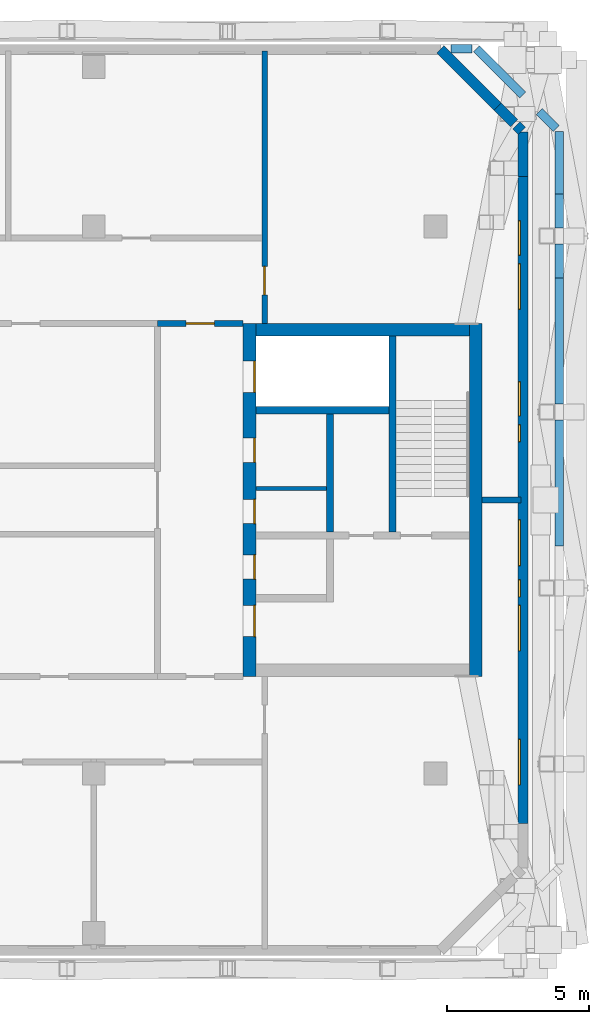
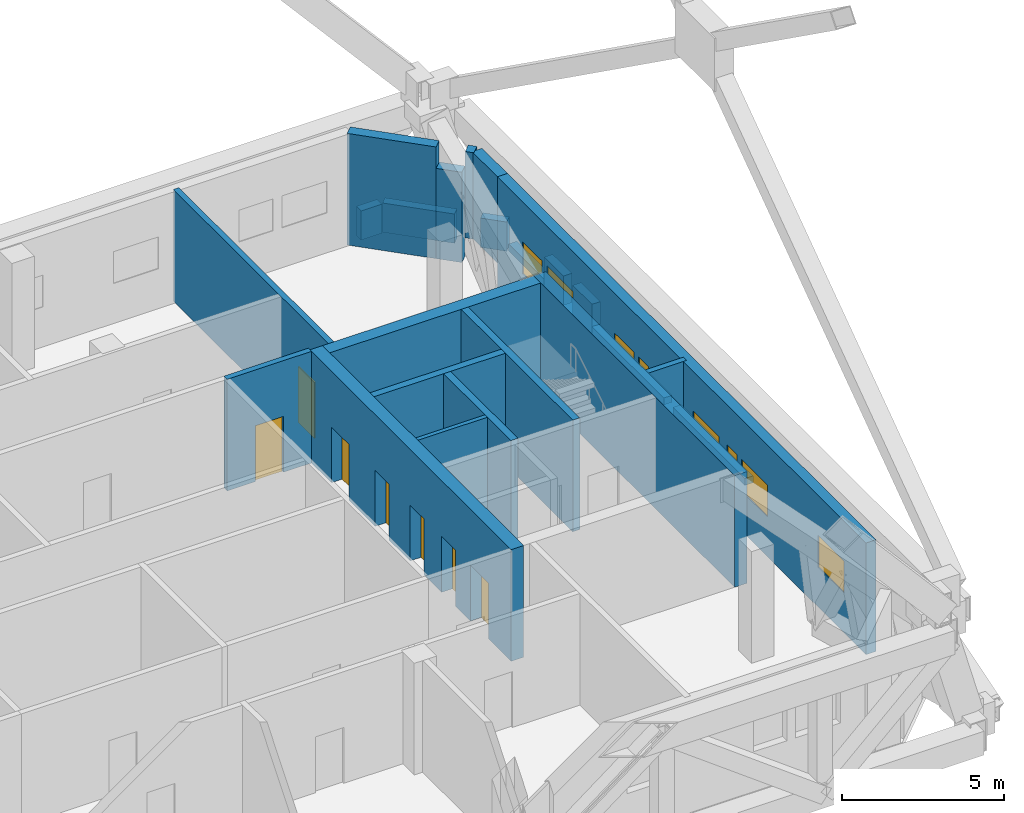
# One storey, part 14 of 20: 23 walls, 8 windows, 7 doors, 15 openings.
"""IFC4 building model written with IfcOpenShell, lengths in metres."""

from ifc_helpers import new_model, si_unit, direction, frame, frame_2d, origin, place, context, subcontext, project, spatial, rectangle, extrude, material, layer, layer_set, type_object, element, fill, save


model = new_model("IFC4")

# Units and contexts
model_context = context("Model", 3, precision=1e-05, world=origin(), true_north=direction((0.0, 1.0)))
body_context = subcontext(model_context, "Body", "Model", "MODEL_VIEW")
ifc_project = project(units=[si_unit("LENGTHUNIT", "METRE"), si_unit("AREAUNIT", "SQUARE_METRE"), si_unit("VOLUMEUNIT", "CUBIC_METRE"), si_unit("PLANEANGLEUNIT", "RADIAN"), si_unit("MASSUNIT", "GRAM", prefix="KILO")], contexts=[model_context])

# Site, building, storey
site_placement = place(None, origin())
site = spatial("IfcSite", under=ifc_project, at=site_placement, CompositionType="ELEMENT")
building_placement = place(site_placement, origin())
building = spatial("IfcBuilding", under=site, at=building_placement, Name="Tuart Gate Housing", CompositionType="ELEMENT")
storey_placement = place(building_placement, frame((0.0, 0.0, 167.10009765625)))
storey = spatial("IfcBuildingStorey", under=building, at=storey_placement, Name="L47", CompositionType="ELEMENT", Elevation=167.10009765625)

# Walls
ifc_material_1 = material(Name="Brick", Category="masonry")
ifc_layer_1 = layer(ifc_material_1, 0.300048828125)
ifc_layer_set_1 = layer_set([ifc_layer_1], Name="Brick parapet wall 300")
wall_type_1 = type_object("IfcWallType", Name="Brick parapet wall 300", PredefinedType="PARAPET", material=ifc_layer_set_1)
for number, where, z_axis, x_axis, name in (
    (1, (171.35009765625, 68.37890625, 0.0), (0.0, 0.0, 1.0), (0.0, 1.0, 0.0), "Roof parapet B 3"),
    (2, (171.35009765625, 73.373046875, 0.0), (0.0, 0.0, 1.0), (0.0, 1.0, 0.0), "Roof parapet B 3"),
):
    element("IfcWall", number, at=place(storey_placement, frame(where, z_axis=z_axis, x_axis=x_axis)), inside=storey, type_object=wall_type_1, Name=name, PredefinedType="PARAPET", context=body_context, shape_type="SweptSolid", body=[
        extrude(rectangle(XDim=4.427978515625, YDim=0.300048828125, at=frame_2d((2.2138671875, 0.0))), origin(), (0.0, 0.0, 1.0), 0.260009765625),
    ])
for number, where, z_axis, x_axis, name in (
    (3, (171.35009765625, 77.801025390625, 0.0), (0.0, 0.0, 1.0), (0.0, 1.0, 0.0), "Roof parapet B 3"),
    (4, (171.35009765625, 79.552978515625, 0.0), (0.0, 0.0, 1.0), (0.0, 1.0, 0.0), "Roof parapet B 3"),
):
    element("IfcWall", number, at=place(storey_placement, frame(where, z_axis=z_axis, x_axis=x_axis)), inside=storey, type_object=wall_type_1, Name=name, PredefinedType="PARAPET", context=body_context, shape_type="SweptSolid", body=[
        extrude(rectangle(XDim=1.18603515625, YDim=0.300048828125, at=frame_2d((0.593017578125, 0.0))), origin(), (0.0, 0.0, 1.0), 1.099853515625),
    ])
wall_1_placement = place(storey_placement, frame((171.35009765625, 80.739013671875, 0.0), z_axis=(0.0, 0.0, 1.0), x_axis=(0.0, 1.0, 0.0)))
element("IfcWall", 5, at=wall_1_placement, inside=storey, type_object=wall_type_1, Name="Roof parapet B 3", PredefinedType="PARAPET", context=body_context, shape_type="SweptSolid", body=[
    extrude(rectangle(XDim=2.198974609375, YDim=0.300048828125, at=frame_2d((1.099609375, 0.0))), origin(), (0.0, 0.0, 1.0), 0.260009765625),
])
wall_2_placement = place(storey_placement, frame((171.242431640625, 83.04541015625, 0.0), z_axis=(0.0, 0.0, 1.0), x_axis=(-0.707106781187, 0.707106781187, 0.0)))
element("IfcWall", 6, at=wall_2_placement, inside=storey, type_object=wall_type_1, Name="Roof parapet B 4", PredefinedType="PARAPET", context=body_context, shape_type="SweptSolid", body=[
    extrude(rectangle(XDim=0.840087890625, YDim=0.300048828125, at=frame_2d((0.419921875, 0.0))), origin(), (0.0, 0.0, 1.0), 1.099853515625),
])
wall_3_placement = place(storey_placement, frame((170.064453125, 84.223388671875, 0.0), z_axis=(0.0, 0.0, 1.0), x_axis=(-0.707053713021, 0.70715984537, 0.0)))
element("IfcWall", 7, at=wall_3_placement, inside=storey, type_object=wall_type_1, Name="Roof parapet B 4", PredefinedType="PARAPET", context=body_context, shape_type="SweptSolid", body=[
    extrude(rectangle(XDim=2.30029296875, YDim=0.300048828125, at=frame_2d((1.150146484375, 0.0))), origin(), (0.0, 0.0, 1.0), 1.099853515625),
])
wall_4_placement = place(storey_placement, frame((168.285888671875, 85.85009765625, 0.0), z_axis=(0.0, 0.0, 1.0), x_axis=(-1.0, 0.0, 0.0)))
element("IfcWall", 8, at=wall_4_placement, inside=storey, type_object=wall_type_1, Name="Roof parapet B 5", PredefinedType="PARAPET", context=body_context, shape_type="SweptSolid", body=[
    extrude(rectangle(XDim=0.73583984375, YDim=0.300048828125, at=frame_2d((0.367919921875, 0.0))), origin(), (0.0, 0.0, 1.0), 1.099853515625),
])

# Wall, openings, windows
ifc_material_2 = material(Name="Brick", Category="masonry")
ifc_layer_2 = layer(ifc_material_2, 0.360107421875)
ifc_layer_set_2 = layer_set([ifc_layer_2], Name="Brick pier and spandrel wall 360")
wall_type_2 = type_object("IfcWallType", Name="Brick pier and spandrel wall 360", PredefinedType="STANDARD", material=ifc_layer_set_2)
wall_5_placement = place(storey_placement, frame((170.070068359375, 58.641357421875, 0.0), z_axis=(0.0, 0.0, 1.0), x_axis=(0.0, 1.0, 0.0)))
wall_5 = element("IfcWall", 9, at=wall_5_placement, inside=storey, type_object=wall_type_2, Name="External wall B-E L47", PredefinedType="STANDARD", context=body_context, shape_type="SweptSolid", body=[
    extrude(rectangle(XDim=22.71728515625, YDim=0.360107421875, at=frame_2d((11.358642578125, 0.0))), origin(), (0.0, 0.0, 1.0), 4.199951171875),
])
opening_1_placement = place(wall_5_placement, frame((1.358642578125, 0.0, 1.5)))
opening_1 = element("IfcOpeningElement", 10, at=opening_1_placement, cuts=wall_5, Name="Opening W3", PredefinedType="OPENING", context=body_context, shape_type="SweptSolid", body=[
    extrude(rectangle(XDim=1.60009765625, YDim=1.199951171875, at=frame_2d((0.800048828125, 0.60009765625))), frame((0.0, 0.18994140625, 0.0), z_axis=(0.0, -1.0, 0.0), x_axis=(1.0, 0.0, 0.0)), (0.0, 0.0, 1.0), 0.380126953125),
])
opening_2_placement = place(wall_5_placement, frame((7.95849609375, 0.0, 1.5)))
opening_2 = element("IfcOpeningElement", 11, at=opening_2_placement, cuts=wall_5, Name="Opening W3C", PredefinedType="OPENING", context=body_context, shape_type="SweptSolid", body=[
    extrude(rectangle(XDim=0.60009765625, YDim=1.199951171875, at=frame_2d((0.300048828125, 0.60009765625))), frame((0.0, 0.18994140625, 0.0), z_axis=(0.0, -1.0, 0.0), x_axis=(1.0, 0.0, 0.0)), (0.0, 0.0, 1.0), 0.380126953125),
])
opening_3_placement = place(wall_5_placement, frame((6.05859375, 0.0, 1.5)))
opening_3 = element("IfcOpeningElement", 12, at=opening_3_placement, cuts=wall_5, Name="Opening W3", PredefinedType="OPENING", context=body_context, shape_type="SweptSolid", body=[
    extrude(rectangle(XDim=1.60009765625, YDim=1.199951171875, at=frame_2d((0.800048828125, 0.60009765625))), frame((0.0, 0.18994140625, 0.0), z_axis=(0.0, -1.0, 0.0), x_axis=(1.0, 0.0, 0.0)), (0.0, 0.0, 1.0), 0.380126953125),
])
opening_4_placement = place(wall_5_placement, frame((9.05859375, 0.0, 1.5)))
opening_4 = element("IfcOpeningElement", 13, at=opening_4_placement, cuts=wall_5, Name="Opening W3", PredefinedType="OPENING", context=body_context, shape_type="SweptSolid", body=[
    extrude(rectangle(XDim=1.60009765625, YDim=1.199951171875, at=frame_2d((0.800048828125, 0.60009765625))), frame((0.0, 0.18994140625, 0.0), z_axis=(0.0, -1.0, 0.0), x_axis=(1.0, 0.0, 0.0)), (0.0, 0.0, 1.0), 0.380126953125),
])
opening_5_placement = place(wall_5_placement, frame((13.40869140625, 0.0, 1.5)))
opening_5 = element("IfcOpeningElement", 14, at=opening_5_placement, cuts=wall_5, Name="Opening W3C", PredefinedType="OPENING", context=body_context, shape_type="SweptSolid", body=[
    extrude(rectangle(XDim=0.60009765625, YDim=1.199951171875, at=frame_2d((0.300048828125, 0.60009765625))), frame((0.0, 0.18994140625, 0.0), z_axis=(0.0, -1.0, 0.0), x_axis=(1.0, 0.0, 0.0)), (0.0, 0.0, 1.0), 0.380126953125),
])
opening_6_placement = place(wall_5_placement, frame((14.30859375, 0.0, 1.5)))
opening_6 = element("IfcOpeningElement", 15, at=opening_6_placement, cuts=wall_5, Name="Opening W3A", PredefinedType="OPENING", context=body_context, shape_type="SweptSolid", body=[
    extrude(rectangle(XDim=1.199951171875, YDim=1.199951171875, at=frame_2d((0.60009765625, 0.60009765625))), frame((0.0, 0.18994140625, 0.0), z_axis=(0.0, -1.0, 0.0), x_axis=(1.0, 0.0, 0.0)), (0.0, 0.0, 1.0), 0.380126953125),
])
opening_7_placement = place(wall_5_placement, frame((18.05859375, 0.0, 1.5)))
opening_7 = element("IfcOpeningElement", 16, at=opening_7_placement, cuts=wall_5, Name="Opening W3", PredefinedType="OPENING", context=body_context, shape_type="SweptSolid", body=[
    extrude(rectangle(XDim=1.60009765625, YDim=1.199951171875, at=frame_2d((0.800048828125, 0.60009765625))), frame((0.0, 0.18994140625, 0.0), z_axis=(0.0, -1.0, 0.0), x_axis=(1.0, 0.0, 0.0)), (0.0, 0.0, 1.0), 0.380126953125),
])
opening_8_placement = place(wall_5_placement, frame((19.95849609375, 0.0, 1.5)))
opening_8 = element("IfcOpeningElement", 17, at=opening_8_placement, cuts=wall_5, Name="Opening W3A", PredefinedType="OPENING", context=body_context, shape_type="SweptSolid", body=[
    extrude(rectangle(XDim=1.199951171875, YDim=1.199951171875, at=frame_2d((0.60009765625, 0.60009765625))), frame((0.0, 0.18994140625, 0.0), z_axis=(0.0, -1.0, 0.0), x_axis=(1.0, 0.0, 0.0)), (0.0, 0.0, 1.0), 0.380126953125),
])
ifc_material_3 = material(Name="Aluminium louvre blades", Category="aluminium")
window_type_1 = type_object("IfcWindowType", Name="Louvre window 1200 x 1200", PartitioningType="DOUBLE_PANEL_HORIZONTAL", PredefinedType="WINDOW", material=ifc_material_3)
window_1_placement = place(opening_6_placement, origin())
window_1 = element("IfcWindow", 18, at=window_1_placement, inside=storey, type_object=window_type_1, Name="Louvre W3A", OverallHeight=1.199951171875, OverallWidth=1.199951171875, PartitioningType="DOUBLE_PANEL_HORIZONTAL", PredefinedType="WINDOW", context=body_context, shape_type="SweptSolid", body=[
    extrude(rectangle(XDim=1.199951171875, YDim=1.199951171875, at=frame_2d((0.60009765625, 0.60009765625))), frame((0.0, 0.150146484375, 0.0), z_axis=(0.0, -1.0, 0.0), x_axis=(1.0, 0.0, 0.0)), (0.0, 0.0, 1.0), 0.06005859375),
])
fill(opening_6, window_1)
window_2_placement = place(opening_8_placement, origin())
window_2 = element("IfcWindow", 19, at=window_2_placement, inside=storey, type_object=window_type_1, Name="Louvre W3A", OverallHeight=1.199951171875, OverallWidth=1.199951171875, PartitioningType="DOUBLE_PANEL_HORIZONTAL", PredefinedType="WINDOW", context=body_context, shape_type="SweptSolid", body=[
    extrude(rectangle(XDim=1.199951171875, YDim=1.199951171875, at=frame_2d((0.60009765625, 0.60009765625))), frame((0.0, 0.150146484375, 0.0), z_axis=(0.0, -1.0, 0.0), x_axis=(1.0, 0.0, 0.0)), (0.0, 0.0, 1.0), 0.06005859375),
])
fill(opening_8, window_2)
ifc_material_4 = material(Name="Aluminium louvre blades", Category="aluminium")
window_type_2 = type_object("IfcWindowType", Name="Louvre window 1600 x 1200", PartitioningType="DOUBLE_PANEL_HORIZONTAL", PredefinedType="WINDOW", material=ifc_material_4)
window_3_placement = place(opening_1_placement, origin())
window_3 = element("IfcWindow", 20, at=window_3_placement, inside=storey, type_object=window_type_2, Name="Louvre W3", OverallHeight=1.199951171875, OverallWidth=1.60009765625, PartitioningType="DOUBLE_PANEL_HORIZONTAL", PredefinedType="WINDOW", context=body_context, shape_type="SweptSolid", body=[
    extrude(rectangle(XDim=1.60009765625, YDim=1.199951171875, at=frame_2d((0.800048828125, 0.60009765625))), frame((0.0, 0.150146484375, 0.0), z_axis=(0.0, -1.0, 0.0), x_axis=(1.0, 0.0, 0.0)), (0.0, 0.0, 1.0), 0.06005859375),
])
fill(opening_1, window_3)
window_4_placement = place(opening_3_placement, origin())
window_4 = element("IfcWindow", 21, at=window_4_placement, inside=storey, type_object=window_type_2, Name="Louvre W3", OverallHeight=1.199951171875, OverallWidth=1.60009765625, PartitioningType="DOUBLE_PANEL_HORIZONTAL", PredefinedType="WINDOW", context=body_context, shape_type="SweptSolid", body=[
    extrude(rectangle(XDim=1.60009765625, YDim=1.199951171875, at=frame_2d((0.800048828125, 0.60009765625))), frame((0.0, 0.150146484375, 0.0), z_axis=(0.0, -1.0, 0.0), x_axis=(1.0, 0.0, 0.0)), (0.0, 0.0, 1.0), 0.06005859375),
])
fill(opening_3, window_4)
window_5_placement = place(opening_4_placement, origin())
window_5 = element("IfcWindow", 22, at=window_5_placement, inside=storey, type_object=window_type_2, Name="Louvre W3", OverallHeight=1.199951171875, OverallWidth=1.60009765625, PartitioningType="DOUBLE_PANEL_HORIZONTAL", PredefinedType="WINDOW", context=body_context, shape_type="SweptSolid", body=[
    extrude(rectangle(XDim=1.60009765625, YDim=1.199951171875, at=frame_2d((0.800048828125, 0.60009765625))), frame((0.0, 0.150146484375, 0.0), z_axis=(0.0, -1.0, 0.0), x_axis=(1.0, 0.0, 0.0)), (0.0, 0.0, 1.0), 0.06005859375),
])
fill(opening_4, window_5)
window_6_placement = place(opening_7_placement, origin())
window_6 = element("IfcWindow", 23, at=window_6_placement, inside=storey, type_object=window_type_2, Name="Louvre W3", OverallHeight=1.199951171875, OverallWidth=1.60009765625, PartitioningType="DOUBLE_PANEL_HORIZONTAL", PredefinedType="WINDOW", context=body_context, shape_type="SweptSolid", body=[
    extrude(rectangle(XDim=1.60009765625, YDim=1.199951171875, at=frame_2d((0.800048828125, 0.60009765625))), frame((0.0, 0.150146484375, 0.0), z_axis=(0.0, -1.0, 0.0), x_axis=(1.0, 0.0, 0.0)), (0.0, 0.0, 1.0), 0.06005859375),
])
fill(opening_7, window_6)
ifc_material_5 = material(Name="Aluminium louvre blades", Category="aluminium")
window_type_3 = type_object("IfcWindowType", Name="Louvre window 600 x 1200", PartitioningType="DOUBLE_PANEL_HORIZONTAL", PredefinedType="WINDOW", material=ifc_material_5)
window_7_placement = place(opening_2_placement, origin())
window_7 = element("IfcWindow", 24, at=window_7_placement, inside=storey, type_object=window_type_3, Name="Louvre W3C", OverallHeight=1.199951171875, OverallWidth=0.60009765625, PartitioningType="DOUBLE_PANEL_HORIZONTAL", PredefinedType="WINDOW", context=body_context, shape_type="SweptSolid", body=[
    extrude(rectangle(XDim=0.60009765625, YDim=1.199951171875, at=frame_2d((0.300048828125, 0.60009765625))), frame((0.0, 0.150146484375, 0.0), z_axis=(0.0, -1.0, 0.0), x_axis=(1.0, 0.0, 0.0)), (0.0, 0.0, 1.0), 0.06005859375),
])
fill(opening_2, window_7)
window_8_placement = place(opening_5_placement, origin())
window_8 = element("IfcWindow", 25, at=window_8_placement, inside=storey, type_object=window_type_3, Name="Louvre W3C", OverallHeight=1.199951171875, OverallWidth=0.60009765625, PartitioningType="DOUBLE_PANEL_HORIZONTAL", PredefinedType="WINDOW", context=body_context, shape_type="SweptSolid", body=[
    extrude(rectangle(XDim=0.60009765625, YDim=1.199951171875, at=frame_2d((0.300048828125, 0.60009765625))), frame((0.0, 0.150146484375, 0.0), z_axis=(0.0, -1.0, 0.0), x_axis=(1.0, 0.0, 0.0)), (0.0, 0.0, 1.0), 0.06005859375),
])
fill(opening_5, window_8)

# Walls
wall_6_placement = place(storey_placement, frame((170.070068359375, 81.358642578125, 0.952880859375), z_axis=(0.0, 0.0, 1.0), x_axis=(0.0, 1.0, 0.0)))
element("IfcWall", 26, at=wall_6_placement, inside=storey, type_object=wall_type_2, Name="External wall B-E L47", PredefinedType="STANDARD", context=body_context, shape_type="SweptSolid", body=[
    extrude(rectangle(XDim=1.56689453125, YDim=0.360107421875, at=frame_2d((0.783447265625, 0.0))), origin(), (0.0, 0.0, 1.0), 3.2470703125),
])
wall_7_placement = place(storey_placement, frame((170.03466796875, 82.960693359375, 0.952880859375), z_axis=(0.0, 0.0, 1.0), x_axis=(-0.707106781187, 0.707106781187, 0.0)))
element("IfcWall", 27, at=wall_7_placement, inside=storey, type_object=wall_type_2, Name="External wall B-NE L47", PredefinedType="STANDARD", context=body_context, shape_type="SweptSolid", body=[
    extrude(rectangle(XDim=0.27734375, YDim=0.360107421875, at=frame_2d((0.138671875, 0.0))), origin(), (0.0, 0.0, 1.0), 3.2470703125),
])
wall_8_placement = place(storey_placement, frame((169.764404296875, 83.231201171875, 0.0), z_axis=(0.0, 0.0, 1.0), x_axis=(-0.707255223877, 0.706958307327, 0.0)))
element("IfcWall", 28, at=wall_8_placement, inside=storey, type_object=wall_type_2, Name="External wall B-NE L47", PredefinedType="STANDARD", context=body_context, shape_type="SweptSolid", body=[
    extrude(rectangle(XDim=0.822265625, YDim=0.360107421875, at=frame_2d((0.4111328125, 0.0))), origin(), (0.0, 0.0, 1.0), 3.39697265625),
])
wall_9_placement = place(storey_placement, frame((169.182861328125, 83.8125, 0.0), z_axis=(0.0, 0.0, 1.0), x_axis=(-0.707106781187, 0.707106781187, 0.0)))
element("IfcWall", 29, at=wall_9_placement, inside=storey, type_object=wall_type_2, Name="External wall B-NE L47", PredefinedType="STANDARD", context=body_context, shape_type="SweptSolid", body=[
    extrude(rectangle(XDim=2.839111328125, YDim=0.360107421875, at=frame_2d((1.41943359375, 0.0))), origin(), (0.0, 0.0, 1.0), 4.199951171875),
])
ifc_material_6 = material(Name="Plasterboard partition")
ifc_layer_3 = layer(ifc_material_6, 0.14990234375)
ifc_layer_set_3 = layer_set([ifc_layer_3], Name="Core partition 150")
wall_type_3 = type_object("IfcWallType", Name="Core partition 150", PredefinedType="PARTITIONING", material=ifc_layer_set_3)
wall_10_placement = place(storey_placement, frame((160.68994140625, 70.39990234375, 0.0), z_axis=(0.0, 0.0, 1.0), x_axis=(1.0, 0.0, 0.0)))
element("IfcWall", 30, at=wall_10_placement, inside=storey, type_object=wall_type_3, Name="Core partition BK.2", PredefinedType="PARTITIONING", context=body_context, shape_type="SweptSolid", body=[
    extrude(rectangle(XDim=2.47509765625, YDim=0.14990234375, at=frame_2d((1.237548828125, 0.0))), origin(), (0.0, 0.0, 1.0), 4.199951171875),
])
ifc_material_7 = material(Name="Concrete C40", Category="concrete")
ifc_layer_4 = layer(ifc_material_7, 0.25)
ifc_layer_set_4 = layer_set([ifc_layer_4], Name="Core wall 250 C40")
wall_type_4 = type_object("IfcWallType", Name="Core wall 250 C40", PredefinedType="SHEAR", material=ifc_layer_set_4)
wall_11_placement = place(storey_placement, frame((160.68994140625, 73.14990234375, 0.0), z_axis=(0.0, 0.0, 1.0), x_axis=(1.0, 0.0, 0.0)))
element("IfcWall", 31, at=wall_11_placement, inside=storey, type_object=wall_type_4, Name="Core wall BK.1", PredefinedType="SHEAR", context=body_context, shape_type="SweptSolid", body=[
    extrude(rectangle(XDim=4.675048828125, YDim=0.25, at=frame_2d((2.33740234375, 0.0))), origin(), (0.0, 0.0, 1.0), 4.199951171875),
])
wall_12_placement = place(storey_placement, frame((163.2900390625, 73.02490234375, 0.0), z_axis=(0.0, 0.0, 1.0), x_axis=(0.0, -1.0, 0.0)))
element("IfcWall", 32, at=wall_12_placement, inside=storey, type_object=wall_type_4, Name="Core wall BK.5", PredefinedType="SHEAR", context=body_context, shape_type="SweptSolid", body=[
    extrude(rectangle(XDim=4.14990234375, YDim=0.25, at=frame_2d((2.074951171875, 0.0))), origin(), (0.0, 0.0, 1.0), 4.199951171875),
])
wall_13_placement = place(storey_placement, frame((165.489990234375, 75.75, 0.0), z_axis=(0.0, 0.0, 1.0), x_axis=(0.0, -1.0, 0.0)))
element("IfcWall", 33, at=wall_13_placement, inside=storey, type_object=wall_type_4, Name="Core wall BK.7", PredefinedType="SHEAR", context=body_context, shape_type="SweptSolid", body=[
    extrude(rectangle(XDim=6.875, YDim=0.25, at=frame_2d((3.4375, 0.0))), origin(), (0.0, 0.0, 1.0), 4.199951171875),
])

# Wall, openings, doors
ifc_material_8 = material(Name="Concrete C40", Category="concrete")
ifc_layer_5 = layer(ifc_material_8, 0.449951171875)
ifc_layer_set_5 = layer_set([ifc_layer_5], Name="Core wall 450 C40")
wall_type_5 = type_object("IfcWallType", Name="Core wall 450 C40", PredefinedType="SHEAR", material=ifc_layer_set_5)
wall_14_placement = place(storey_placement, frame((160.465087890625, 76.199951171875, 0.0), z_axis=(0.0, 0.0, 1.0), x_axis=(0.0, -1.0, 0.0)))
wall_14 = element("IfcWall", 34, at=wall_14_placement, inside=storey, type_object=wall_type_5, Name="Core wall BK front", PredefinedType="SHEAR", context=body_context, shape_type="SweptSolid", body=[
    extrude(rectangle(XDim=12.39990234375, YDim=0.449951171875, at=frame_2d((6.199951171875, 0.0))), origin(), (0.0, 0.0, 1.0), 4.199951171875),
])
opening_9_placement = place(wall_14_placement, frame((1.324951171875, 0.0, 0.0)))
opening_9 = element("IfcOpeningElement", 35, at=opening_9_placement, cuts=wall_14, Name="Opening LD-FB2", PredefinedType="OPENING", context=body_context, shape_type="SweptSolid", body=[
    extrude(rectangle(XDim=1.10009765625, YDim=2.10009765625, at=frame_2d((0.550048828125, 1.050048828125))), frame((0.0, 0.23486328125, 0.0), z_axis=(0.0, -1.0, 0.0), x_axis=(1.0, 0.0, 0.0)), (0.0, 0.0, 1.0), 0.469970703125),
])
opening_10_placement = place(wall_14_placement, frame((4.02490234375, 0.0, 0.0)))
opening_10 = element("IfcOpeningElement", 36, at=opening_10_placement, cuts=wall_14, Name="Opening D3482", PredefinedType="OPENING", context=body_context, shape_type="SweptSolid", body=[
    extrude(rectangle(XDim=0.85009765625, YDim=2.10009765625, at=frame_2d((0.425048828125, 1.050048828125))), frame((0.0, 0.23486328125, 0.0), z_axis=(0.0, -1.0, 0.0), x_axis=(1.0, 0.0, 0.0)), (0.0, 0.0, 1.0), 0.469970703125),
])
opening_11_placement = place(wall_14_placement, frame((6.175048828125, 0.0, 0.0)))
opening_11 = element("IfcOpeningElement", 37, at=opening_11_placement, cuts=wall_14, Name="Opening D3483", PredefinedType="OPENING", context=body_context, shape_type="SweptSolid", body=[
    extrude(rectangle(XDim=0.85009765625, YDim=2.10009765625, at=frame_2d((0.425048828125, 1.050048828125))), frame((0.0, 0.23486328125, 0.0), z_axis=(0.0, -1.0, 0.0), x_axis=(1.0, 0.0, 0.0)), (0.0, 0.0, 1.0), 0.469970703125),
])
opening_12_placement = place(wall_14_placement, frame((9.89990234375, 0.0, 0.0)))
opening_12 = element("IfcOpeningElement", 38, at=opening_12_placement, cuts=wall_14, Name="Opening D3481", PredefinedType="OPENING", context=body_context, shape_type="SweptSolid", body=[
    extrude(rectangle(XDim=1.10009765625, YDim=2.10009765625, at=frame_2d((0.550048828125, 1.050048828125))), frame((0.0, 0.23486328125, 0.0), z_axis=(0.0, -1.0, 0.0), x_axis=(1.0, 0.0, 0.0)), (0.0, 0.0, 1.0), 0.469970703125),
])
opening_13_placement = place(wall_14_placement, frame((8.125, 0.0, 0.0)))
opening_13 = element("IfcOpeningElement", 39, at=opening_13_placement, cuts=wall_14, Name="Opening D3484", PredefinedType="OPENING", context=body_context, shape_type="SweptSolid", body=[
    extrude(rectangle(XDim=0.85009765625, YDim=2.10009765625, at=frame_2d((0.425048828125, 1.050048828125))), frame((0.0, 0.23486328125, 0.0), z_axis=(0.0, -1.0, 0.0), x_axis=(1.0, 0.0, 0.0)), (0.0, 0.0, 1.0), 0.469970703125),
])
ifc_material_9 = material(Name="Stainless steel", Category="steel")
door_type_1 = type_object("IfcDoorType", Name="Landing door 1100 x 2100", OperationType="DOUBLE_DOOR_SLIDING", PredefinedType="DOOR", material=ifc_material_9)
door_1_placement = place(opening_9_placement, origin())
door_1 = element("IfcDoor", 40, at=door_1_placement, inside=storey, type_object=door_type_1, Name="Lift landing door FB2", OperationType="DOUBLE_DOOR_SLIDING", OverallHeight=2.10009765625, OverallWidth=1.10009765625, PredefinedType="DOOR", context=body_context, shape_type="SweptSolid", body=[
    extrude(rectangle(XDim=1.10009765625, YDim=2.10009765625, at=frame_2d((0.550048828125, 1.050048828125))), frame((0.0, 0.2099609375, 0.0), z_axis=(0.0, -1.0, 0.0), x_axis=(1.0, 0.0, 0.0)), (0.0, 0.0, 1.0), 0.050048828125),
])
fill(opening_9, door_1)
ifc_material_10 = material(Name="Steel fire door", Category="steel")
door_type_2 = type_object("IfcDoorType", Name="Lobby door 1100 x 2100", OperationType="SINGLE_SWING_LEFT", PredefinedType="DOOR", material=ifc_material_10)
door_2_placement = place(opening_12_placement, origin())
door_2 = element("IfcDoor", 41, at=door_2_placement, inside=storey, type_object=door_type_2, Name="Lobby entry door BK.EN", OperationType="SINGLE_SWING_LEFT", OverallHeight=2.10009765625, OverallWidth=1.10009765625, PredefinedType="DOOR", context=body_context, shape_type="SweptSolid", body=[
    extrude(rectangle(XDim=1.10009765625, YDim=2.10009765625, at=frame_2d((0.550048828125, 1.050048828125))), frame((0.0, 0.2099609375, 0.0), z_axis=(0.0, -1.0, 0.0), x_axis=(1.0, 0.0, 0.0)), (0.0, 0.0, 1.0), 0.050048828125),
])
fill(opening_12, door_2)
ifc_material_11 = material(Name="Steel fire door", Category="steel")
door_type_3 = type_object("IfcDoorType", Name="Service door 850 x 2100", OperationType="SINGLE_SWING_LEFT", PredefinedType="DOOR", material=ifc_material_11)
door_3_placement = place(opening_10_placement, origin())
door_3 = element("IfcDoor", 42, at=door_3_placement, inside=storey, type_object=door_type_3, Name="Service room door BK.FR1", OperationType="SINGLE_SWING_LEFT", OverallHeight=2.10009765625, OverallWidth=0.85009765625, PredefinedType="DOOR", context=body_context, shape_type="SweptSolid", body=[
    extrude(rectangle(XDim=0.85009765625, YDim=2.10009765625, at=frame_2d((0.425048828125, 1.050048828125))), frame((0.0, 0.2099609375, 0.0), z_axis=(0.0, -1.0, 0.0), x_axis=(1.0, 0.0, 0.0)), (0.0, 0.0, 1.0), 0.050048828125),
])
fill(opening_10, door_3)
door_4_placement = place(opening_11_placement, origin())
door_4 = element("IfcDoor", 43, at=door_4_placement, inside=storey, type_object=door_type_3, Name="Service room door BK.FR2", OperationType="SINGLE_SWING_LEFT", OverallHeight=2.10009765625, OverallWidth=0.85009765625, PredefinedType="DOOR", context=body_context, shape_type="SweptSolid", body=[
    extrude(rectangle(XDim=0.85009765625, YDim=2.10009765625, at=frame_2d((0.425048828125, 1.050048828125))), frame((0.0, 0.2099609375, 0.0), z_axis=(0.0, -1.0, 0.0), x_axis=(1.0, 0.0, 0.0)), (0.0, 0.0, 1.0), 0.050048828125),
])
fill(opening_11, door_4)
door_5_placement = place(opening_13_placement, origin())
door_5 = element("IfcDoor", 44, at=door_5_placement, inside=storey, type_object=door_type_3, Name="Service room door BK.T1", OperationType="SINGLE_SWING_LEFT", OverallHeight=2.10009765625, OverallWidth=0.85009765625, PredefinedType="DOOR", context=body_context, shape_type="SweptSolid", body=[
    extrude(rectangle(XDim=0.85009765625, YDim=2.10009765625, at=frame_2d((0.425048828125, 1.050048828125))), frame((0.0, 0.2099609375, 0.0), z_axis=(0.0, -1.0, 0.0), x_axis=(1.0, 0.0, 0.0)), (0.0, 0.0, 1.0), 0.050048828125),
])
fill(opening_13, door_5)

# Walls
wall_15_placement = place(storey_placement, frame((168.4150390625, 76.199951171875, 0.0), z_axis=(0.0, 0.0, 1.0), x_axis=(0.0, -1.0, 0.0)))
element("IfcWall", 45, at=wall_15_placement, inside=storey, type_object=wall_type_5, Name="Core wall BK back", PredefinedType="SHEAR", context=body_context, shape_type="SweptSolid", body=[
    extrude(rectangle(XDim=12.39990234375, YDim=0.449951171875, at=frame_2d((6.199951171875, 0.0))), origin(), (0.0, 0.0, 1.0), 4.199951171875),
])
wall_16_placement = place(storey_placement, frame((160.68994140625, 75.97509765625, 0.0), z_axis=(0.0, 0.0, 1.0), x_axis=(1.0, 0.0, 0.0)))
element("IfcWall", 46, at=wall_16_placement, inside=storey, type_object=wall_type_5, Name="Core wall BK south", PredefinedType="SHEAR", context=body_context, shape_type="SweptSolid", body=[
    extrude(rectangle(XDim=7.5, YDim=0.449951171875, at=frame_2d((3.75, 0.0))), origin(), (0.0, 0.0, 1.0), 4.199951171875),
])
ifc_material_12 = material(Name="Concrete masonry 15 MPa", Category="masonry")
ifc_layer_6 = layer(ifc_material_12, 0.199951171875)
ifc_layer_set_6 = layer_set([ifc_layer_6], Name="Enclosure wall masonry 200")
wall_type_6 = type_object("IfcWallType", Name="Enclosure wall masonry 200", PredefinedType="PARTITIONING", material=ifc_layer_set_6)
wall_17_placement = place(storey_placement, frame((168.639892578125, 70.0, 0.0), z_axis=(0.0, 0.0, 1.0), x_axis=(1.0, 0.0, 0.0)))
element("IfcWall", 47, at=wall_17_placement, inside=storey, type_object=wall_type_6, Name="Enclosure wall masonry 200", PredefinedType="PARTITIONING", context=body_context, shape_type="SweptSolid", body=[
    extrude(rectangle(XDim=1.3701171875, YDim=0.199951171875, at=frame_2d((0.68505859375, 0.0))), origin(), (0.0, 0.0, 1.0), 4.199951171875),
])

# Wall, opening, door
wall_18_placement = place(storey_placement, frame((157.239990234375, 76.199951171875, 0.0), z_axis=(0.0, 0.0, 1.0), x_axis=(1.0, 0.0, 0.0)))
wall_18 = element("IfcWall", 48, at=wall_18_placement, inside=storey, type_object=wall_type_6, Name="Enclosure wall masonry 200", PredefinedType="PARTITIONING", context=body_context, shape_type="SweptSolid", body=[
    extrude(rectangle(XDim=3.0, YDim=0.199951171875, at=frame_2d((1.5, 0.0))), origin(), (0.0, 0.0, 1.0), 4.199951171875),
])
opening_14_placement = place(wall_18_placement, frame((1.0, 0.0, 0.0)))
opening_14 = element("IfcOpeningElement", 49, at=opening_14_placement, cuts=wall_18, Name="Opening D3474", PredefinedType="OPENING", context=body_context, shape_type="SweptSolid", body=[
    extrude(rectangle(XDim=1.0, YDim=2.10009765625, at=frame_2d((0.5, 1.050048828125))), frame((0.0, 0.10986328125, 0.0), z_axis=(0.0, -1.0, 0.0), x_axis=(1.0, 0.0, 0.0)), (0.0, 0.0, 1.0), 0.219970703125),
])
ifc_material_13 = material(Name="Timber door leaf in steel frame", Category="steel")
door_type_4 = type_object("IfcDoorType", Name="Lobby door 1000 RH", OperationType="SINGLE_SWING_RIGHT", PredefinedType="DOOR", material=ifc_material_13)
door_6_placement = place(opening_14_placement, frame((1.0, 0.0, 0.0), z_axis=(0.0, 0.0, 1.0), x_axis=(-1.0, 0.0, 0.0)))
door_6 = element("IfcDoor", 50, at=door_6_placement, inside=storey, type_object=door_type_4, Name="Lobby door 1000", OperationType="SINGLE_SWING_RIGHT", OverallHeight=2.10009765625, OverallWidth=1.0, PredefinedType="DOOR", context=body_context, shape_type="SweptSolid", body=[
    extrude(rectangle(XDim=1.0, YDim=2.10009765625, at=frame_2d((0.5, 1.050048828125))), frame((0.0, 0.025146484375, 0.0), z_axis=(0.0, -1.0, 0.0), x_axis=(1.0, 0.0, 0.0)), (0.0, 0.0, 1.0), 0.050048828125),
])
fill(opening_14, door_6)

wall_19_placement = place(storey_placement, frame((161.0, 76.199951171875, 0.0), z_axis=(0.0, 0.0, 1.0), x_axis=(0.0, 1.0, 0.0)))
wall_19 = element("IfcWall", 51, at=wall_19_placement, inside=storey, type_object=wall_type_6, Name="Enclosure wall masonry 200", PredefinedType="PARTITIONING", context=body_context, shape_type="SweptSolid", body=[
    extrude(rectangle(XDim=9.56005859375, YDim=0.199951171875, at=frame_2d((4.780029296875, 0.0))), origin(), (0.0, 0.0, 1.0), 4.199951171875),
])
opening_15_placement = place(wall_19_placement, frame((1.0009765625, 0.0, 0.0)))
opening_15 = element("IfcOpeningElement", 52, at=opening_15_placement, cuts=wall_19, Name="Opening D3466", PredefinedType="OPENING", context=body_context, shape_type="SweptSolid", body=[
    extrude(rectangle(XDim=1.0, YDim=2.10009765625, at=frame_2d((0.5, 1.050048828125))), frame((0.0, 0.10986328125, 0.0), z_axis=(0.0, -1.0, 0.0), x_axis=(1.0, 0.0, 0.0)), (0.0, 0.0, 1.0), 0.219970703125),
])
ifc_material_14 = material(Name="Timber door leaf in steel frame", Category="steel")
door_type_5 = type_object("IfcDoorType", Name="Fire door 1000 RH", OperationType="SINGLE_SWING_RIGHT", PredefinedType="DOOR", material=ifc_material_14)
door_7_placement = place(opening_15_placement, frame((1.0, 0.0, 0.0), z_axis=(0.0, 0.0, 1.0), x_axis=(-1.0, 0.0, 0.0)))
door_7 = element("IfcDoor", 53, at=door_7_placement, inside=storey, type_object=door_type_5, Name="Fire door 1000", OperationType="SINGLE_SWING_RIGHT", OverallHeight=2.10009765625, OverallWidth=1.0, PredefinedType="DOOR", context=body_context, shape_type="SweptSolid", body=[
    extrude(rectangle(XDim=1.0, YDim=2.10009765625, at=frame_2d((0.5, 1.050048828125))), frame((0.0, 0.025146484375, 0.0), z_axis=(0.0, -1.0, 0.0), x_axis=(1.0, 0.0, 0.0)), (0.0, 0.0, 1.0), 0.050048828125),
])
fill(opening_15, door_7)

save(model, "model.ifc")
